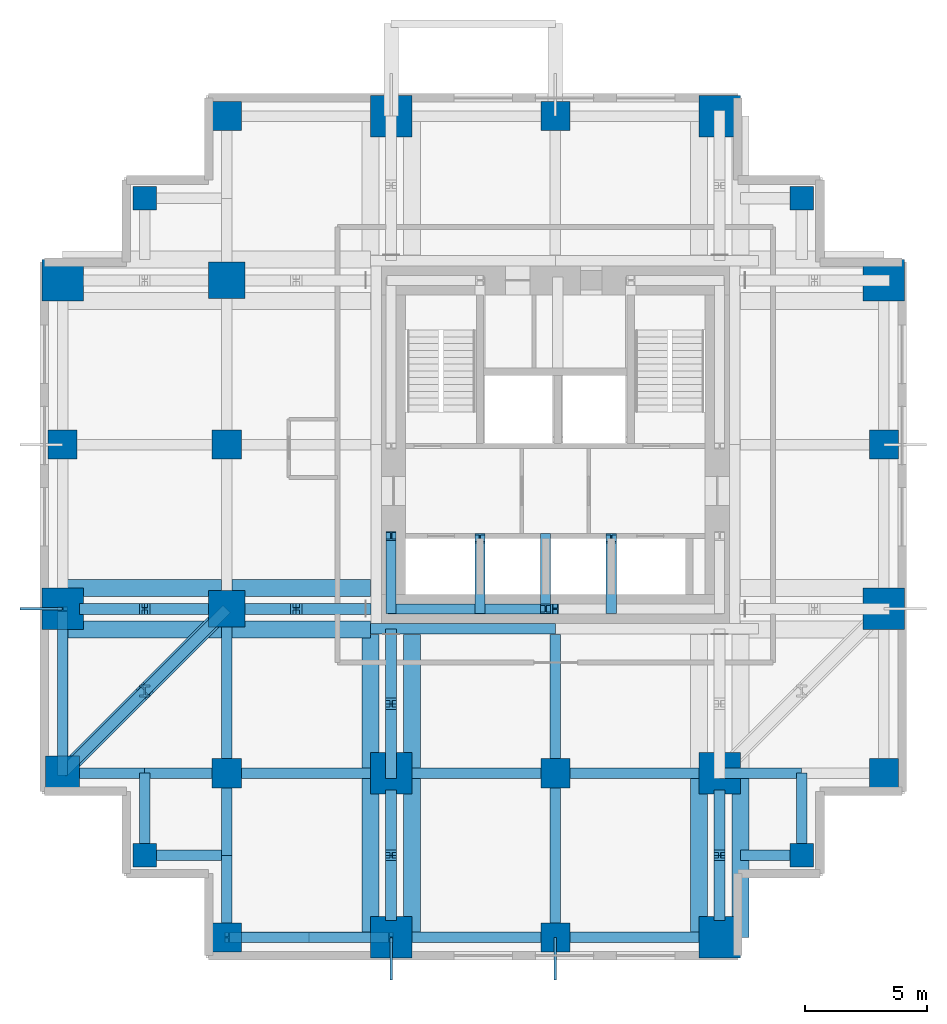
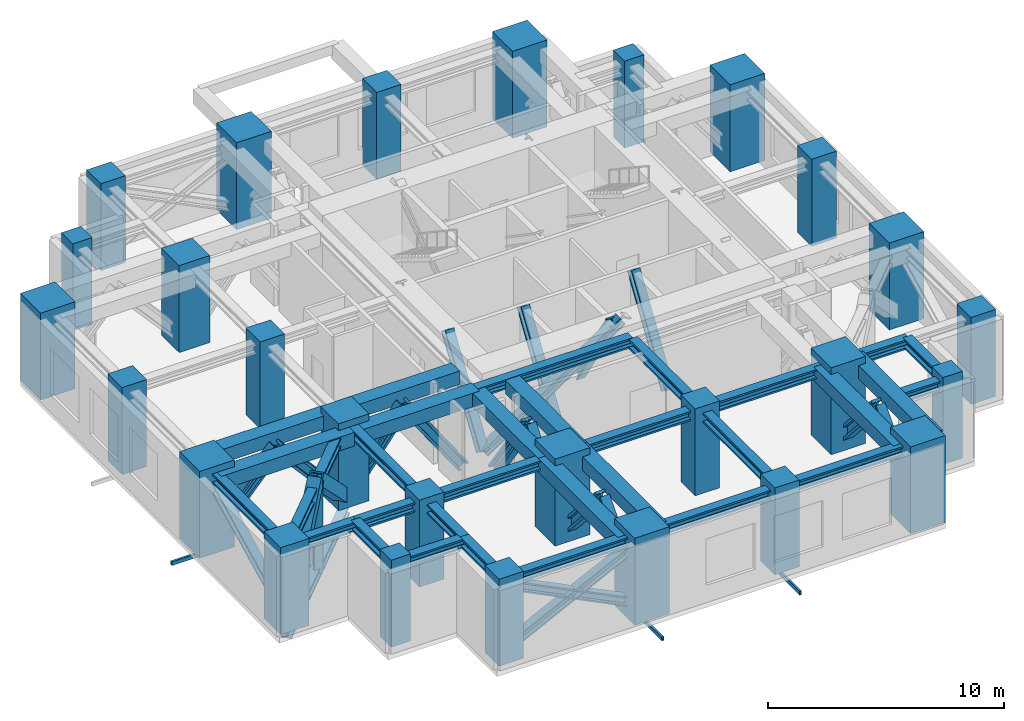
# One storey, part 1 of 6: 30 beams, 27 columns, 27 members.
"""IFC4 building model written with IfcOpenShell, lengths in metres."""

from ifc_helpers import new_model, si_unit, direction, frame, origin, origin_2d, place, context, subcontext, project, spatial, rectangle, hollow_rectangle, i_section, extrude, material, material_profile, profile_set, type_object, element, save


model = new_model("IFC4")

# Units and contexts
model_context = context("Model", 3, precision=1e-05, world=origin(), true_north=direction((0.0, 1.0)))
body_context = subcontext(model_context, "Body", "Model", "MODEL_VIEW")
ifc_project = project(units=[si_unit("LENGTHUNIT", "METRE"), si_unit("AREAUNIT", "SQUARE_METRE"), si_unit("VOLUMEUNIT", "CUBIC_METRE"), si_unit("PLANEANGLEUNIT", "RADIAN"), si_unit("MASSUNIT", "GRAM", prefix="KILO")], contexts=[model_context])

# Site, building, storey
site_placement = place(None, origin())
site = spatial("IfcSite", under=ifc_project, at=site_placement, CompositionType="ELEMENT")
building_placement = place(site_placement, origin())
building = spatial("IfcBuilding", under=site, at=building_placement, Name="Nyansa Garden Tower", CompositionType="ELEMENT")
storey_placement = place(building_placement, frame((0.0, 0.0, 199.800048828125)))
storey = spatial("IfcBuildingStorey", under=building, at=storey_placement, Name="L54", CompositionType="ELEMENT", Elevation=199.800048828125)

# Columns
ifc_material_1 = material(Name="Concrete C70/85", Category="concrete")
ifc_material_profile_1 = material_profile(ifc_material_1, rectangle(XDim=1.199951171875, YDim=1.199951171875, at=origin_2d()), Name="RC 1200x1200")
ifc_profile_set_1 = profile_set([ifc_material_profile_1], Name="Concrete C70/85")
column_type_1 = type_object("IfcColumnType", Name="Column C120 RC 1200x1200", PredefinedType="COLUMN", material=ifc_profile_set_1)
for number, where, z_axis, x_axis, name in (
    (1, (0.0, 20.25, 0.0), (0.0, 0.0, 1.0), (1.0, 0.0, 0.0), "Column 2/G L54"),
    (2, (6.75, 0.0, 0.0), (0.0, 0.0, 1.0), (1.0, 0.0, 0.0), "Column 3/D L54"),
    (3, (6.75, 6.75, 0.0), (0.0, 0.0, 1.0), (1.0, 0.0, 0.0), "Column 3/E L54"),
    (4, (6.75, 20.25, 0.0), (0.0, 0.0, 1.0), (1.0, 0.0, 0.0), "Column 3/G L54"),
    (5, (6.75, 33.75, 0.0), (0.0, 0.0, 1.0), (1.0, 0.0, 0.0), "Column 3/J L54"),
    (6, (20.25, 0.0, 0.0), (0.0, 0.0, 1.0), (1.0, 0.0, 0.0), "Column 5/D L54"),
    (7, (20.25, 6.75, 0.0), (0.0, 0.0, 1.0), (1.0, 0.0, 0.0), "Column 5/E L54"),
    (8, (20.25, 33.75, 0.0), (0.0, 0.0, 1.0), (1.0, 0.0, 0.0), "Column 5/J L54"),
    (9, (33.75, 6.75, 0.0), (0.0, 0.0, 1.0), (1.0, 0.0, 0.0), "Column 7/E L54"),
    (10, (33.75, 20.25, 0.0), (0.0, 0.0, 1.0), (1.0, 0.0, 0.0), "Column 7/G L54"),
):
    element("IfcColumn", number, at=place(storey_placement, frame(where, z_axis=z_axis, x_axis=x_axis)), inside=storey, type_object=column_type_1, Name=name, PredefinedType="COLUMN", context=body_context, shape_type="SweptSolid", body=[
        extrude(rectangle(XDim=1.199951171875, YDim=1.199951171875, at=origin_2d()), origin(), (0.0, 0.0, 1.0), 4.5),
    ])
ifc_material_2 = material(Name="Concrete C80/95", Category="concrete")
ifc_material_profile_2 = material_profile(ifc_material_2, rectangle(XDim=1.39990234375, YDim=1.39990234375, at=origin_2d()), Name="RC 1400x1400")
ifc_profile_set_2 = profile_set([ifc_material_profile_2], Name="Concrete C80/95")
column_type_2 = type_object("IfcColumnType", Name="Column C140 RC 1400x1400", PredefinedType="COLUMN", material=ifc_profile_set_2)
column_placement = place(storey_placement, frame((0.0, 6.75, 0.0), z_axis=(0.0, 0.0, 1.0), x_axis=(1.0, 0.0, 0.0)))
element("IfcColumn", 11, at=column_placement, inside=storey, type_object=column_type_2, Name="Column 2/E L54", PredefinedType="COLUMN", context=body_context, shape_type="SweptSolid", body=[
    extrude(rectangle(XDim=1.39990234375, YDim=1.39990234375, at=origin_2d()), origin(), (0.0, 0.0, 1.0), 4.5),
])
ifc_material_3 = material(Name="Concrete C80/95", Category="concrete")
ifc_material_profile_3 = material_profile(ifc_material_3, rectangle(XDim=1.5, YDim=1.5, at=origin_2d()), Name="RC 1500x1500")
ifc_profile_set_3 = profile_set([ifc_material_profile_3], Name="Concrete C80/95")
column_type_3 = type_object("IfcColumnType", Name="Column C150 RC 1500x1500", PredefinedType="COLUMN", material=ifc_profile_set_3)
for number, where, z_axis, x_axis, name in (
    (12, (6.75, 13.5, 0.0), (0.0, 0.0, 1.0), (1.0, 0.0, 0.0), "Column 3/F L54"),
    (13, (6.75, 27.0, 0.0), (0.0, 0.0, 1.0), (1.0, 0.0, 0.0), "Column 3/H L54"),
):
    element("IfcColumn", number, at=place(storey_placement, frame(where, z_axis=z_axis, x_axis=x_axis)), inside=storey, type_object=column_type_3, Name=name, PredefinedType="COLUMN", context=body_context, shape_type="SweptSolid", body=[
        extrude(rectangle(XDim=1.5, YDim=1.5, at=origin_2d()), origin(), (0.0, 0.0, 1.0), 4.5),
    ])
ifc_material_4 = material(Name="Concrete C80/95", Category="concrete")
ifc_material_profile_4 = material_profile(ifc_material_4, rectangle(XDim=1.699951171875, YDim=1.699951171875, at=origin_2d()), Name="RC 1700x1700")
ifc_profile_set_4 = profile_set([ifc_material_profile_4], Name="Concrete C80/95")
column_type_4 = type_object("IfcColumnType", Name="Column C170 RC 1700x1700", PredefinedType="COLUMN", material=ifc_profile_set_4)
for number, where, z_axis, x_axis, name in (
    (14, (0.0, 13.5, 0.0), (0.0, 0.0, 1.0), (1.0, 0.0, 0.0), "Column 2/F L54"),
    (15, (0.0, 27.0, 0.0), (0.0, 0.0, 1.0), (1.0, 0.0, 0.0), "Column 2/H L54"),
    (16, (13.5, 0.0, 0.0), (0.0, 0.0, 1.0), (1.0, 0.0, 0.0), "Column 4/D L54"),
    (17, (13.5, 6.75, 0.0), (0.0, 0.0, 1.0), (1.0, 0.0, 0.0), "Column 4/E L54"),
    (18, (13.5, 33.75, 0.0), (0.0, 0.0, 1.0), (1.0, 0.0, 0.0), "Column 4/J L54"),
    (19, (27.0, 0.0, 0.0), (0.0, 0.0, 1.0), (1.0, 0.0, 0.0), "Column 6/D L54"),
    (20, (27.0, 6.75, 0.0), (0.0, 0.0, 1.0), (1.0, 0.0, 0.0), "Column 6/E L54"),
    (21, (27.0, 33.75, 0.0), (0.0, 0.0, 1.0), (1.0, 0.0, 0.0), "Column 6/J L54"),
    (22, (33.75, 13.5, 0.0), (0.0, 0.0, 1.0), (1.0, 0.0, 0.0), "Column 7/F L54"),
    (23, (33.75, 27.0, 0.0), (0.0, 0.0, 1.0), (1.0, 0.0, 0.0), "Column 7/H L54"),
):
    element("IfcColumn", number, at=place(storey_placement, frame(where, z_axis=z_axis, x_axis=x_axis)), inside=storey, type_object=column_type_4, Name=name, PredefinedType="COLUMN", context=body_context, shape_type="SweptSolid", body=[
        extrude(rectangle(XDim=1.699951171875, YDim=1.699951171875, at=origin_2d()), origin(), (0.0, 0.0, 1.0), 4.5),
    ])
ifc_material_5 = material(Name="Concrete C70/85", Category="concrete")
ifc_material_profile_5 = material_profile(ifc_material_5, rectangle(XDim=0.949951171875, YDim=0.949951171875, at=origin_2d()), Name="RC 950x950")
ifc_profile_set_5 = profile_set([ifc_material_profile_5], Name="Concrete C70/85")
column_type_5 = type_object("IfcColumnType", Name="Column C95 RC 950x950", PredefinedType="COLUMN", material=ifc_profile_set_5)
for number, where, z_axis, x_axis, name in (
    (24, (3.375, 3.375, 0.0), (0.0, 0.0, 1.0), (1.0, 0.0, 0.0), "Column x3.375/y3.375 L54"),
    (25, (3.375, 30.375, 0.0), (0.0, 0.0, 1.0), (1.0, 0.0, 0.0), "Column x3.375/y30.375 L54"),
    (26, (30.375, 3.375, 0.0), (0.0, 0.0, 1.0), (1.0, 0.0, 0.0), "Column x30.375/y3.375 L54"),
    (27, (30.375, 30.375, 0.0), (0.0, 0.0, 1.0), (1.0, 0.0, 0.0), "Column x30.375/y30.375 L54"),
):
    element("IfcColumn", number, at=place(storey_placement, frame(where, z_axis=z_axis, x_axis=x_axis)), inside=storey, type_object=column_type_5, Name=name, PredefinedType="COLUMN", context=body_context, shape_type="SweptSolid", body=[
        extrude(rectangle(XDim=0.949951171875, YDim=0.949951171875, at=origin_2d()), origin(), (0.0, 0.0, 1.0), 4.5),
    ])

# Members
ifc_material_6 = material(Name="Steel S355", Category="steel")
ifc_material_profile_6 = material_profile(ifc_material_6, i_section(OverallWidth=0.41796875, OverallDepth=0.455078125, WebThickness=0.0419921875, FlangeThickness=0.067626953125, FilletRadius=0.014892578125, at=origin_2d()), Name="HD 400x463")
ifc_profile_set_6 = profile_set([ifc_material_profile_6], Name="Steel S355")
member_type_1 = type_object("IfcMemberType", Name="Belt truss diagonal HD 400x463", PredefinedType="BRACE", material=ifc_profile_set_6)
for number, where, z_axis, x_axis, name in (
    (28, (6.75, 0.0, 0.39990234375), (0.895745130073, 0.0, 0.444567949756), (0.0, 1.0, 0.0), "Belt truss diagonal S1a L54"),
    (29, (13.5, 0.0, 0.39990234375), (-0.895745130073, 0.0, 0.444567949756), (0.0, -1.0, 0.0), "Belt truss diagonal S1b L54"),
):
    element("IfcMember", number, at=place(storey_placement, frame(where, z_axis=z_axis, x_axis=x_axis)), inside=storey, type_object=member_type_1, Name=name, PredefinedType="BRACE", context=body_context, shape_type="SweptSolid", body=[
        extrude(i_section(OverallWidth=0.41796875, OverallDepth=0.455078125, WebThickness=0.0419921875, FlangeThickness=0.067626953125, FilletRadius=0.014892578125, at=origin_2d()), origin(), (0.0, 0.0, 1.0), 7.53564453125),
    ])
ifc_material_7 = material(Name="Steel S355, black powder coated", Category="steel")
ifc_material_profile_7 = material_profile(ifc_material_7, hollow_rectangle(XDim=0.10009765625, YDim=0.199951171875, WallThickness=0.008056640625, at=origin_2d()), Name="RHS 200x100x8")
ifc_profile_set_7 = profile_set([ifc_material_profile_7], Name="Steel S355, black powder coated")
member_type_2 = type_object("IfcMemberType", Name="Outer skin bracket arm RHS 200x100x8", PredefinedType="USERDEFINED", material=ifc_profile_set_7)
for number, where, z_axis, x_axis, name in (
    (30, (0.0, 13.5, -0.449951171875), (-1.0, 0.0, 0.0), (0.0, -1.0, 0.0), "Outer skin bracket arm"),
    (31, (13.5, 0.0, -0.449951171875), (0.0, -1.0, 0.0), (1.0, 0.0, 0.0), "Outer skin bracket arm"),
    (32, (20.25, 0.0, -0.449951171875), (0.0, -1.0, 0.0), (1.0, 0.0, 0.0), "Outer skin bracket arm"),
):
    element("IfcMember", number, at=place(storey_placement, frame(where, z_axis=z_axis, x_axis=x_axis)), inside=storey, type_object=member_type_2, Name=name, ObjectType="OUTER SKIN BRACKET", PredefinedType="USERDEFINED", context=body_context, shape_type="SweptSolid", body=[
        extrude(hollow_rectangle(XDim=0.10009765625, YDim=0.199951171875, WallThickness=0.008056640625, at=origin_2d()), origin(), (0.0, 0.0, 1.0), 1.75),
    ])

# Beams
ifc_material_8 = material(Name="Steel S355", Category="steel")
ifc_material_profile_8 = material_profile(ifc_material_8, hollow_rectangle(XDim=0.699951171875, YDim=0.699951171875, WallThickness=0.110107421875, at=origin_2d()), Name="Welded box 700x700x110")
ifc_profile_set_8 = profile_set([ifc_material_profile_8], Name="Steel S355")
beam_type_1 = type_object("IfcBeamType", Name="Outrigger chord OC2 welded box 700x700x110 S355", PredefinedType="BEAM", material=ifc_profile_set_8)
for number, where, z_axis, x_axis, name in (
    (33, (0.0, 14.35009765625, 3.800048828125), (1.0, 0.0, 0.0), (0.0, 1.0, 0.0), "Beam 2/F-3/F L55 a"),
    (34, (0.0, 12.64990234375, 3.800048828125), (1.0, 0.0, 0.0), (0.0, 1.0, 0.0), "Beam 2/F-3/F L55 b"),
):
    element("IfcBeam", number, at=place(storey_placement, frame(where, z_axis=z_axis, x_axis=x_axis)), inside=storey, type_object=beam_type_1, Name=name, PredefinedType="BEAM", context=body_context, shape_type="SweptSolid", body=[
        extrude(hollow_rectangle(XDim=0.699951171875, YDim=0.699951171875, WallThickness=0.110107421875, at=origin_2d()), origin(), (0.0, 0.0, 1.0), 6.533935546875),
    ])
for number, where, z_axis, x_axis, name in (
    (35, (6.966064453125, 14.35009765625, 3.800048828125), (1.0, 0.0, 0.0), (0.0, 1.0, 0.0), "Beam 3/F-12.650/F L55 a"),
    (36, (6.966064453125, 12.64990234375, 3.800048828125), (1.0, 0.0, 0.0), (0.0, 1.0, 0.0), "Beam 3/F-12.650/F L55 b"),
):
    element("IfcBeam", number, at=place(storey_placement, frame(where, z_axis=z_axis, x_axis=x_axis)), inside=storey, type_object=beam_type_1, Name=name, PredefinedType="BEAM", context=body_context, shape_type="SweptSolid", body=[
        extrude(hollow_rectangle(XDim=0.699951171875, YDim=0.699951171875, WallThickness=0.110107421875, at=origin_2d()), origin(), (0.0, 0.0, 1.0), 5.683837890625),
    ])
for number, where, z_axis, x_axis, name in (
    (37, (12.64990234375, 0.0, 3.800048828125), (0.0, 1.0, 0.0), (-1.0, 0.0, 0.0), "Beam 4/D-4/E L55 a"),
    (38, (14.35009765625, 0.0, 3.800048828125), (0.0, 1.0, 0.0), (-1.0, 0.0, 0.0), "Beam 4/D-4/E L55 b"),
):
    element("IfcBeam", number, at=place(storey_placement, frame(where, z_axis=z_axis, x_axis=x_axis)), inside=storey, type_object=beam_type_1, Name=name, PredefinedType="BEAM", context=body_context, shape_type="SweptSolid", body=[
        extrude(hollow_rectangle(XDim=0.699951171875, YDim=0.699951171875, WallThickness=0.110107421875, at=origin_2d()), origin(), (0.0, 0.0, 1.0), 6.75),
    ])
for number, where, z_axis, x_axis, name in (
    (39, (12.64990234375, 6.75, 3.800048828125), (0.0, 1.0, 0.0), (-1.0, 0.0, 0.0), "Beam 4/E-4/12.450 L55 a"),
    (40, (14.35009765625, 6.75, 3.800048828125), (0.0, 1.0, 0.0), (-1.0, 0.0, 0.0), "Beam 4/E-4/12.450 L55 b"),
):
    element("IfcBeam", number, at=place(storey_placement, frame(where, z_axis=z_axis, x_axis=x_axis)), inside=storey, type_object=beam_type_1, Name=name, PredefinedType="BEAM", context=body_context, shape_type="SweptSolid", body=[
        extrude(hollow_rectangle(XDim=0.699951171875, YDim=0.699951171875, WallThickness=0.110107421875, at=origin_2d()), origin(), (0.0, 0.0, 1.0), 5.699951171875),
    ])
for number, where, z_axis, x_axis, name in (
    (41, (26.14990234375, 0.0, 3.800048828125), (0.0, 1.0, 0.0), (-1.0, 0.0, 0.0), "Beam 6/D-6/E L55 a"),
    (42, (27.85009765625, 0.0, 3.800048828125), (0.0, 1.0, 0.0), (-1.0, 0.0, 0.0), "Beam 6/D-6/E L55 b"),
):
    element("IfcBeam", number, at=place(storey_placement, frame(where, z_axis=z_axis, x_axis=x_axis)), inside=storey, type_object=beam_type_1, Name=name, PredefinedType="BEAM", context=body_context, shape_type="SweptSolid", body=[
        extrude(hollow_rectangle(XDim=0.699951171875, YDim=0.699951171875, WallThickness=0.110107421875, at=origin_2d()), origin(), (0.0, 0.0, 1.0), 6.75),
    ])

# Members
ifc_material_9 = material(Name="Steel S355", Category="steel")
ifc_material_profile_9 = material_profile(ifc_material_9, i_section(OverallWidth=0.4541015625, OverallDepth=0.569091796875, WebThickness=0.077880859375, FlangeThickness=0.125, FilletRadius=0.014892578125, at=origin_2d()), Name="HD 400x1086")
ifc_profile_set_9 = profile_set([ifc_material_profile_9], Name="Steel S355")
member_type_3 = type_object("IfcMemberType", Name="Outrigger truss diagonal HD 400x1086", PredefinedType="BRACE", material=ifc_profile_set_9)
for number, where, z_axis, x_axis, name in (
    (43, (13.5, 0.0, 0.0), (0.0, 0.664053699108, 0.747684883291), (-1.0, 0.0, 0.0), "Outrigger truss diagonal L54 1.1a"),
    (44, (13.5, 6.75, 0.0), (0.0, -0.664053699108, 0.747684883291), (1.0, 0.0, 0.0), "Outrigger truss diagonal L54 1.1b"),
):
    element("IfcMember", number, at=place(storey_placement, frame(where, z_axis=z_axis, x_axis=x_axis)), inside=storey, type_object=member_type_3, Name=name, PredefinedType="BRACE", context=body_context, shape_type="SweptSolid", body=[
        extrude(i_section(OverallWidth=0.4541015625, OverallDepth=0.569091796875, WebThickness=0.077880859375, FlangeThickness=0.125, FilletRadius=0.014892578125, at=origin_2d()), origin(), (0.0, 0.0, 1.0), 5.08251953125),
    ])
member_1_placement = place(storey_placement, frame((13.5, 6.75, 0.0), z_axis=(0.0, 0.600008223483, 0.799993832321), x_axis=(-1.0, 0.0, 0.0)))
element("IfcMember", 45, at=member_1_placement, inside=storey, type_object=member_type_3, Name="Outrigger truss diagonal L54 1.2a", PredefinedType="BRACE", context=body_context, shape_type="SweptSolid", body=[
    extrude(i_section(OverallWidth=0.4541015625, OverallDepth=0.569091796875, WebThickness=0.077880859375, FlangeThickness=0.125, FilletRadius=0.014892578125, at=origin_2d()), origin(), (0.0, 0.0, 1.0), 4.75),
])
member_2_placement = place(storey_placement, frame((13.5, 12.449951171875, -0.300048828125), z_axis=(0.0, -0.570742116103, 0.82112936673), x_axis=(1.0, 0.0, 0.0)))
element("IfcMember", 46, at=member_2_placement, inside=storey, type_object=member_type_3, Name="Outrigger truss diagonal L54 1.2b", PredefinedType="BRACE", context=body_context, shape_type="SweptSolid", body=[
    extrude(i_section(OverallWidth=0.4541015625, OverallDepth=0.569091796875, WebThickness=0.077880859375, FlangeThickness=0.125, FilletRadius=0.014892578125, at=origin_2d()), origin(), (0.0, 0.0, 1.0), 4.9931640625),
])
for number, where, z_axis, x_axis, name in (
    (47, (27.0, 0.0, 0.0), (0.0, 0.664053699108, 0.747684883291), (-1.0, 0.0, 0.0), "Outrigger truss diagonal L54 2.1a"),
    (48, (27.0, 6.75, 0.0), (0.0, -0.664053699108, 0.747684883291), (1.0, 0.0, 0.0), "Outrigger truss diagonal L54 2.1b"),
    (49, (0.0, 13.5, 0.0), (0.664053699108, 0.0, 0.747684883291), (0.0, 1.0, 0.0), "Outrigger truss diagonal L54 5.1a"),
    (50, (6.75, 13.5, 0.0), (-0.664053699108, 0.0, 0.747684883291), (0.0, -1.0, 0.0), "Outrigger truss diagonal L54 5.1b"),
):
    element("IfcMember", number, at=place(storey_placement, frame(where, z_axis=z_axis, x_axis=x_axis)), inside=storey, type_object=member_type_3, Name=name, PredefinedType="BRACE", context=body_context, shape_type="SweptSolid", body=[
        extrude(i_section(OverallWidth=0.4541015625, OverallDepth=0.569091796875, WebThickness=0.077880859375, FlangeThickness=0.125, FilletRadius=0.014892578125, at=origin_2d()), origin(), (0.0, 0.0, 1.0), 5.08251953125),
    ])
member_3_placement = place(storey_placement, frame((6.75, 13.5, 0.0), z_axis=(0.600008223483, 0.0, 0.799993832321), x_axis=(0.0, 1.0, 0.0)))
element("IfcMember", 51, at=member_3_placement, inside=storey, type_object=member_type_3, Name="Outrigger truss diagonal L54 5.2a", PredefinedType="BRACE", context=body_context, shape_type="SweptSolid", body=[
    extrude(i_section(OverallWidth=0.4541015625, OverallDepth=0.569091796875, WebThickness=0.077880859375, FlangeThickness=0.125, FilletRadius=0.014892578125, at=origin_2d()), origin(), (0.0, 0.0, 1.0), 4.75),
])
member_4_placement = place(storey_placement, frame((12.449951171875, 13.5, -0.300048828125), z_axis=(-0.570742116103, 0.0, 0.82112936673), x_axis=(0.0, -1.0, 0.0)))
element("IfcMember", 52, at=member_4_placement, inside=storey, type_object=member_type_3, Name="Outrigger truss diagonal L54 5.2b", PredefinedType="BRACE", context=body_context, shape_type="SweptSolid", body=[
    extrude(i_section(OverallWidth=0.4541015625, OverallDepth=0.569091796875, WebThickness=0.077880859375, FlangeThickness=0.125, FilletRadius=0.014892578125, at=origin_2d()), origin(), (0.0, 0.0, 1.0), 4.9931640625),
])
ifc_material_10 = material(Name="Steel S355", Category="steel")
ifc_material_profile_10 = material_profile(ifc_material_10, i_section(OverallWidth=0.41796875, OverallDepth=0.455078125, WebThickness=0.0419921875, FlangeThickness=0.067626953125, FilletRadius=0.014892578125, at=origin_2d()), Name="HD 400x463")
ifc_profile_set_10 = profile_set([ifc_material_profile_10], Name="Steel S355")
member_type_4 = type_object("IfcMemberType", Name="Perimeter brace heavy HD 400x463", PredefinedType="BRACE", material=ifc_profile_set_10)
member_5_placement = place(storey_placement, frame((13.5, 13.5, 0.0), z_axis=(0.832050294338, 0.0, 0.554700196225), x_axis=(0.0, 1.0, 0.0)))
element("IfcMember", 53, at=member_5_placement, inside=storey, type_object=member_type_4, Name="Core brace CS1 L54", PredefinedType="BRACE", context=body_context, shape_type="SweptSolid", body=[
    extrude(i_section(OverallWidth=0.41796875, OverallDepth=0.455078125, WebThickness=0.0419921875, FlangeThickness=0.067626953125, FilletRadius=0.014892578125, at=origin_2d()), origin(), (0.0, 0.0, 1.0), 8.112548828125),
])
member_6_placement = place(storey_placement, frame((13.5, 13.5, 0.0), z_axis=(0.0, 0.554700196225, 0.832050294338), x_axis=(-1.0, 0.0, 0.0)))
element("IfcMember", 54, at=member_6_placement, inside=storey, type_object=member_type_4, Name="Core brace CW5 L54", PredefinedType="BRACE", context=body_context, shape_type="SweptSolid", body=[
    extrude(i_section(OverallWidth=0.41796875, OverallDepth=0.455078125, WebThickness=0.0419921875, FlangeThickness=0.067626953125, FilletRadius=0.014892578125, at=origin_2d()), origin(), (0.0, 0.0, 1.0), 5.408447265625),
])
for number, where, z_axis, x_axis, name in (
    (55, (17.14990234375, 13.5, 0.0), (0.0, 0.541688444786, 0.84057934116), (-1.0, 0.0, 0.0), "Core brace CSW11 L54"),
    (56, (19.85009765625, 16.39990234375, 0.0), (0.0, -0.541688444786, 0.84057934116), (1.0, 0.0, 0.0), "Core brace CSW12 L54"),
    (57, (22.550048828125, 13.5, 0.0), (0.0, 0.541688444786, 0.84057934116), (-1.0, 0.0, 0.0), "Core brace CSW13 L54"),
):
    element("IfcMember", number, at=place(storey_placement, frame(where, z_axis=z_axis, x_axis=x_axis)), inside=storey, type_object=member_type_4, Name=name, PredefinedType="BRACE", context=body_context, shape_type="SweptSolid", body=[
        extrude(i_section(OverallWidth=0.41796875, OverallDepth=0.455078125, WebThickness=0.0419921875, FlangeThickness=0.067626953125, FilletRadius=0.014892578125, at=origin_2d()), origin(), (0.0, 0.0, 1.0), 5.353515625),
    ])
member_7_placement = place(storey_placement, frame((0.0, 6.75, 0.39990234375), z_axis=(0.0, 0.893092378182, 0.449873319985), x_axis=(-1.0, 0.0, 0.0)))
element("IfcMember", 58, at=member_7_placement, inside=storey, type_object=member_type_4, Name="Perimeter brace W1 L54", PredefinedType="BRACE", context=body_context, shape_type="SweptSolid", body=[
    extrude(i_section(OverallWidth=0.41796875, OverallDepth=0.455078125, WebThickness=0.0419921875, FlangeThickness=0.067626953125, FilletRadius=0.014892578125, at=origin_2d()), origin(), (0.0, 0.0, 1.0), 7.55810546875),
])

# Beams
ifc_material_11 = material(Name="Steel S355", Category="steel")
ifc_material_profile_11 = material_profile(ifc_material_11, i_section(OverallWidth=0.431884765625, OverallDepth=0.498046875, WebThickness=0.0556640625, FlangeThickness=0.0888671875, FilletRadius=0.014892578125, at=origin_2d()), Name="HD 400x744")
ifc_profile_set_11 = profile_set([ifc_material_profile_11], Name="Steel S355")
beam_type_2 = type_object("IfcBeamType", Name="Steel beam SBC2-744 HD 400x744", PredefinedType="BEAM", material=ifc_profile_set_11)
for number, where, z_axis, x_axis, name in (
    (59, (3.375, 6.75, 3.90087890625), (1.0, 0.0, 0.0), (0.0, 1.0, 0.0), "Steel beam 3.375/E-3/E L55"),
    (60, (6.75, 3.375, 3.90087890625), (0.0, 1.0, 0.0), (-1.0, 0.0, 0.0), "Steel beam 3/3.375-3/E L55"),
):
    element("IfcBeam", number, at=place(storey_placement, frame(where, z_axis=z_axis, x_axis=x_axis)), inside=storey, type_object=beam_type_2, Name=name, PredefinedType="BEAM", context=body_context, shape_type="SweptSolid", body=[
        extrude(i_section(OverallWidth=0.431884765625, OverallDepth=0.498046875, WebThickness=0.0556640625, FlangeThickness=0.0888671875, FilletRadius=0.014892578125, at=origin_2d()), origin(), (0.0, 0.0, 1.0), 3.375),
    ])
for number, where, z_axis, x_axis, name in (
    (61, (6.75, 6.75, 3.90087890625), (0.0, 1.0, 0.0), (-1.0, 0.0, 0.0), "Steel beam 3/E-3/F L55"),
    (62, (6.75, 6.75, 3.90087890625), (1.0, 0.0, 0.0), (0.0, 1.0, 0.0), "Steel beam 3/E-4/E L55"),
    (63, (13.5, 6.75, 3.90087890625), (1.0, 0.0, 0.0), (0.0, 1.0, 0.0), "Steel beam 4/E-5/E L55"),
    (64, (20.25, 0.0, 3.90087890625), (0.0, 1.0, 0.0), (-1.0, 0.0, 0.0), "Steel beam 5/D-5/E L55"),
):
    element("IfcBeam", number, at=place(storey_placement, frame(where, z_axis=z_axis, x_axis=x_axis)), inside=storey, type_object=beam_type_2, Name=name, PredefinedType="BEAM", context=body_context, shape_type="SweptSolid", body=[
        extrude(i_section(OverallWidth=0.431884765625, OverallDepth=0.498046875, WebThickness=0.0556640625, FlangeThickness=0.0888671875, FilletRadius=0.014892578125, at=origin_2d()), origin(), (0.0, 0.0, 1.0), 6.75),
    ])
beam_1_placement = place(storey_placement, frame((20.25, 6.75, 3.90087890625), z_axis=(0.0, 1.0, 0.0), x_axis=(-1.0, 0.0, 0.0)))
element("IfcBeam", 65, at=beam_1_placement, inside=storey, type_object=beam_type_2, Name="Steel beam 5/E-5/12.450 L55", PredefinedType="BEAM", context=body_context, shape_type="SweptSolid", body=[
    extrude(i_section(OverallWidth=0.431884765625, OverallDepth=0.498046875, WebThickness=0.0556640625, FlangeThickness=0.0888671875, FilletRadius=0.014892578125, at=origin_2d()), origin(), (0.0, 0.0, 1.0), 5.699951171875),
])
beam_2_placement = place(storey_placement, frame((20.25, 6.75, 3.90087890625), z_axis=(1.0, 0.0, 0.0), x_axis=(0.0, 1.0, 0.0)))
element("IfcBeam", 66, at=beam_2_placement, inside=storey, type_object=beam_type_2, Name="Steel beam 5/E-6/E L55", PredefinedType="BEAM", context=body_context, shape_type="SweptSolid", body=[
    extrude(i_section(OverallWidth=0.431884765625, OverallDepth=0.498046875, WebThickness=0.0556640625, FlangeThickness=0.0888671875, FilletRadius=0.014892578125, at=origin_2d()), origin(), (0.0, 0.0, 1.0), 6.75),
])
beam_3_placement = place(storey_placement, frame((27.0, 6.75, 3.90087890625), z_axis=(1.0, 0.0, 0.0), x_axis=(0.0, 1.0, 0.0)))
element("IfcBeam", 67, at=beam_3_placement, inside=storey, type_object=beam_type_2, Name="Steel beam 6/E-30.375/E L55", PredefinedType="BEAM", context=body_context, shape_type="SweptSolid", body=[
    extrude(i_section(OverallWidth=0.431884765625, OverallDepth=0.498046875, WebThickness=0.0556640625, FlangeThickness=0.0888671875, FilletRadius=0.014892578125, at=origin_2d()), origin(), (0.0, 0.0, 1.0), 3.375),
])
ifc_material_12 = material(Name="Steel S355", Category="steel")
ifc_material_profile_12 = material_profile(ifc_material_12, i_section(OverallWidth=0.431884765625, OverallDepth=0.498046875, WebThickness=0.0556640625, FlangeThickness=0.0888671875, FilletRadius=0.014892578125, at=origin_2d()), Name="HD 400x744")
ifc_profile_set_12 = profile_set([ifc_material_profile_12], Name="Steel S355")
beam_type_3 = type_object("IfcBeamType", Name="Steel beam SEBC-744 HD 400x744", PredefinedType="BEAM", material=ifc_profile_set_12)
for number, where, z_axis, x_axis, name in (
    (68, (0.0, 6.75, 3.90087890625), (0.0, 1.0, 0.0), (-1.0, 0.0, 0.0), "Steel edge beam 2/E-2/F L55"),
    (69, (6.75, 0.0, 3.90087890625), (1.0, 0.0, 0.0), (0.0, 1.0, 0.0), "Steel edge beam 3/D-4/D L55"),
    (70, (13.5, 0.0, 3.90087890625), (1.0, 0.0, 0.0), (0.0, 1.0, 0.0), "Steel edge beam 4/D-5/D L55"),
    (71, (20.25, 0.0, 3.90087890625), (1.0, 0.0, 0.0), (0.0, 1.0, 0.0), "Steel edge beam 5/D-6/D L55"),
):
    element("IfcBeam", number, at=place(storey_placement, frame(where, z_axis=z_axis, x_axis=x_axis)), inside=storey, type_object=beam_type_3, Name=name, PredefinedType="BEAM", context=body_context, shape_type="SweptSolid", body=[
        extrude(i_section(OverallWidth=0.431884765625, OverallDepth=0.498046875, WebThickness=0.0556640625, FlangeThickness=0.0888671875, FilletRadius=0.014892578125, at=origin_2d()), origin(), (0.0, 0.0, 1.0), 6.75),
    ])
ifc_material_13 = material(Name="Steel S355", Category="steel")
ifc_material_profile_13 = material_profile(ifc_material_13, i_section(OverallWidth=0.431884765625, OverallDepth=0.498046875, WebThickness=0.0556640625, FlangeThickness=0.0888671875, FilletRadius=0.014892578125, at=origin_2d()), Name="HD 400x744")
ifc_profile_set_13 = profile_set([ifc_material_profile_13], Name="Steel S355")
beam_type_4 = type_object("IfcBeamType", Name="Steel beam SEBC2-744 HD 400x744", PredefinedType="BEAM", material=ifc_profile_set_13)
for number, where, z_axis, x_axis, name in (
    (72, (0.0, 6.75, 3.90087890625), (1.0, 0.0, 0.0), (0.0, 1.0, 0.0), "Steel edge beam 2/E-3.375/E L55"),
    (73, (6.75, 0.0, 3.90087890625), (0.0, 1.0, 0.0), (-1.0, 0.0, 0.0), "Steel edge beam 3/D-3/3.375 L55"),
):
    element("IfcBeam", number, at=place(storey_placement, frame(where, z_axis=z_axis, x_axis=x_axis)), inside=storey, type_object=beam_type_4, Name=name, PredefinedType="BEAM", context=body_context, shape_type="SweptSolid", body=[
        extrude(i_section(OverallWidth=0.431884765625, OverallDepth=0.498046875, WebThickness=0.0556640625, FlangeThickness=0.0888671875, FilletRadius=0.014892578125, at=origin_2d()), origin(), (0.0, 0.0, 1.0), 3.375),
    ])
ifc_material_14 = material(Name="Steel S355", Category="steel")
ifc_material_profile_14 = material_profile(ifc_material_14, i_section(OverallWidth=0.431884765625, OverallDepth=0.498046875, WebThickness=0.0556640625, FlangeThickness=0.0888671875, FilletRadius=0.014892578125, at=origin_2d()), Name="HD 400x744")
ifc_profile_set_14 = profile_set([ifc_material_profile_14], Name="Steel S355")
beam_type_5 = type_object("IfcBeamType", Name="Steel beam SLB2-744 HD 400x744", PredefinedType="BEAM", material=ifc_profile_set_14)
beam_4_placement = place(storey_placement, frame((11.89990234375, 12.68408203125, 3.90087890625), z_axis=(1.0, 0.0, 0.0), x_axis=(0.0, 1.0, 0.0)))
element("IfcBeam", 74, at=beam_4_placement, inside=storey, type_object=beam_type_5, Name="Steel core ledger beam S.1 L55", PredefinedType="BEAM", context=body_context, shape_type="SweptSolid", body=[
    extrude(i_section(OverallWidth=0.431884765625, OverallDepth=0.498046875, WebThickness=0.0556640625, FlangeThickness=0.0888671875, FilletRadius=0.014892578125, at=origin_2d()), origin(), (0.0, 0.0, 1.0), 8.35009765625),
])
ifc_material_15 = material(Name="Steel S355", Category="steel")
ifc_material_profile_15 = material_profile(ifc_material_15, i_section(OverallWidth=0.431884765625, OverallDepth=0.498046875, WebThickness=0.0556640625, FlangeThickness=0.0888671875, FilletRadius=0.014892578125, at=origin_2d()), Name="HD 400x744")
ifc_profile_set_15 = profile_set([ifc_material_profile_15], Name="Steel S355")
beam_type_6 = type_object("IfcBeamType", Name="Steel beam SSB1-744 HD 400x744", PredefinedType="BEAM", material=ifc_profile_set_15)
for number, where, z_axis, x_axis, name in (
    (75, (3.375, 3.375, 3.90087890625), (0.0, 1.0, 0.0), (-1.0, 0.0, 0.0), "Steel step beam 3.375/3.375 L55"),
    (76, (3.375, 3.375, 3.90087890625), (1.0, 0.0, 0.0), (0.0, 1.0, 0.0), "Steel step beam 3.375/3.375 L55"),
    (77, (30.375, 3.375, 3.90087890625), (0.0, 1.0, 0.0), (-1.0, 0.0, 0.0), "Steel step beam 30.375/3.375 L55"),
):
    element("IfcBeam", number, at=place(storey_placement, frame(where, z_axis=z_axis, x_axis=x_axis)), inside=storey, type_object=beam_type_6, Name=name, PredefinedType="BEAM", context=body_context, shape_type="SweptSolid", body=[
        extrude(i_section(OverallWidth=0.431884765625, OverallDepth=0.498046875, WebThickness=0.0556640625, FlangeThickness=0.0888671875, FilletRadius=0.014892578125, at=origin_2d()), origin(), (0.0, 0.0, 1.0), 3.375),
    ])
beam_5_placement = place(storey_placement, frame((30.375, 3.375, 3.90087890625), z_axis=(-1.0, 0.0, 0.0), x_axis=(0.0, -1.0, 0.0)))
element("IfcBeam", 78, at=beam_5_placement, inside=storey, type_object=beam_type_6, Name="Steel step beam 30.375/3.375 L55", PredefinedType="BEAM", context=body_context, shape_type="SweptSolid", body=[
    extrude(i_section(OverallWidth=0.431884765625, OverallDepth=0.498046875, WebThickness=0.0556640625, FlangeThickness=0.0888671875, FilletRadius=0.014892578125, at=origin_2d()), origin(), (0.0, 0.0, 1.0), 2.52490234375),
])

# Members
ifc_material_16 = material(Name="Steel S355", Category="steel")
ifc_material_profile_16 = material_profile(ifc_material_16, hollow_rectangle(XDim=0.60009765625, YDim=0.60009765625, WallThickness=0.070068359375, at=origin_2d()), Name="Welded box 600x600x70")
ifc_profile_set_16 = profile_set([ifc_material_profile_16], Name="Steel S355")
member_type_5 = type_object("IfcMemberType", Name="Transfer truss diagonal TT4 welded box 600x600x70 S355", PredefinedType="BRACE", material=ifc_profile_set_16)
for number, where, z_axis, x_axis, name in (
    (79, (0.0, 6.75, 0.0), (0.530849130986, 0.530849130986, 0.660604571785), (-0.707106781187, 0.707106781187, 0.0), "Transfer truss diagonal L55 3.375/10.125 a"),
    (80, (6.75, 13.5, 0.0), (-0.530849130986, -0.530849130986, 0.660604571785), (0.707106781187, -0.707106781187, 0.0), "Transfer truss diagonal L55 3.375/10.125 b"),
):
    element("IfcMember", number, at=place(storey_placement, frame(where, z_axis=z_axis, x_axis=x_axis)), inside=storey, type_object=member_type_5, Name=name, PredefinedType="BRACE", context=body_context, shape_type="SweptSolid", body=[
        extrude(hollow_rectangle(XDim=0.60009765625, YDim=0.60009765625, WallThickness=0.070068359375, at=origin_2d()), origin(), (0.0, 0.0, 1.0), 6.357666015625),
    ])
ifc_material_17 = material(Name="Steel S355", Category="steel")
ifc_material_profile_17 = material_profile(ifc_material_17, i_section(OverallWidth=0.431884765625, OverallDepth=0.498046875, WebThickness=0.0556640625, FlangeThickness=0.0888671875, FilletRadius=0.014892578125, at=origin_2d()), Name="HD 400x744")
ifc_profile_set_17 = profile_set([ifc_material_profile_17], Name="Steel S355")
member_type_6 = type_object("IfcMemberType", Name="Transfer truss king post HD 400x744", PredefinedType="MEMBER", material=ifc_profile_set_17)
member_8_placement = place(storey_placement, frame((3.375, 10.125, -0.60009765625), z_axis=(0.0, 0.0, 1.0), x_axis=(1.0, 0.0, 0.0)))
element("IfcMember", 81, at=member_8_placement, inside=storey, type_object=member_type_6, Name="Transfer truss king post L55 3.375/10.125", PredefinedType="MEMBER", context=body_context, shape_type="SweptSolid", body=[
    extrude(i_section(OverallWidth=0.431884765625, OverallDepth=0.498046875, WebThickness=0.0556640625, FlangeThickness=0.0888671875, FilletRadius=0.014892578125, at=origin_2d()), origin(), (0.0, 0.0, 1.0), 4.75),
])
ifc_material_18 = material(Name="Steel S355", Category="steel")
ifc_material_profile_18 = material_profile(ifc_material_18, i_section(OverallWidth=0.431884765625, OverallDepth=0.498046875, WebThickness=0.0556640625, FlangeThickness=0.0888671875, FilletRadius=0.014892578125, at=origin_2d()), Name="HD 400x744")
ifc_profile_set_18 = profile_set([ifc_material_profile_18], Name="Steel S355")
member_type_7 = type_object("IfcMemberType", Name="Transfer truss tie HD 400x744", PredefinedType="MEMBER", material=ifc_profile_set_18)
for number, where, z_axis, x_axis, name in (
    (82, (0.0, 6.75, 3.849853515625), (0.707106781187, 0.707106781187, 0.0), (-0.707106781187, 0.707106781187, 0.0), "Transfer truss tie L55 3.375/10.125 top a"),
    (83, (6.75, 13.5, 3.849853515625), (-0.707106781187, -0.707106781187, 0.0), (0.707106781187, -0.707106781187, 0.0), "Transfer truss tie L55 3.375/10.125 top b"),
):
    element("IfcMember", number, at=place(storey_placement, frame(where, z_axis=z_axis, x_axis=x_axis)), inside=storey, type_object=member_type_7, Name=name, PredefinedType="MEMBER", context=body_context, shape_type="SweptSolid", body=[
        extrude(i_section(OverallWidth=0.431884765625, OverallDepth=0.498046875, WebThickness=0.0556640625, FlangeThickness=0.0888671875, FilletRadius=0.014892578125, at=origin_2d()), origin(), (0.0, 0.0, 1.0), 4.77294921875),
    ])
member_9_placement = place(storey_placement, frame((0.0, 6.75, -0.60009765625), z_axis=(0.707106781187, 0.707106781187, 0.0), x_axis=(-0.707106781187, 0.707106781187, 0.0)))
element("IfcMember", 84, at=member_9_placement, inside=storey, type_object=member_type_7, Name="Transfer truss tie L55 3.375/10.125 bottom", PredefinedType="MEMBER", context=body_context, shape_type="SweptSolid", body=[
    extrude(i_section(OverallWidth=0.431884765625, OverallDepth=0.498046875, WebThickness=0.0556640625, FlangeThickness=0.0888671875, FilletRadius=0.014892578125, at=origin_2d()), origin(), (0.0, 0.0, 1.0), 9.5458984375),
])

save(model, "model.ifc")
